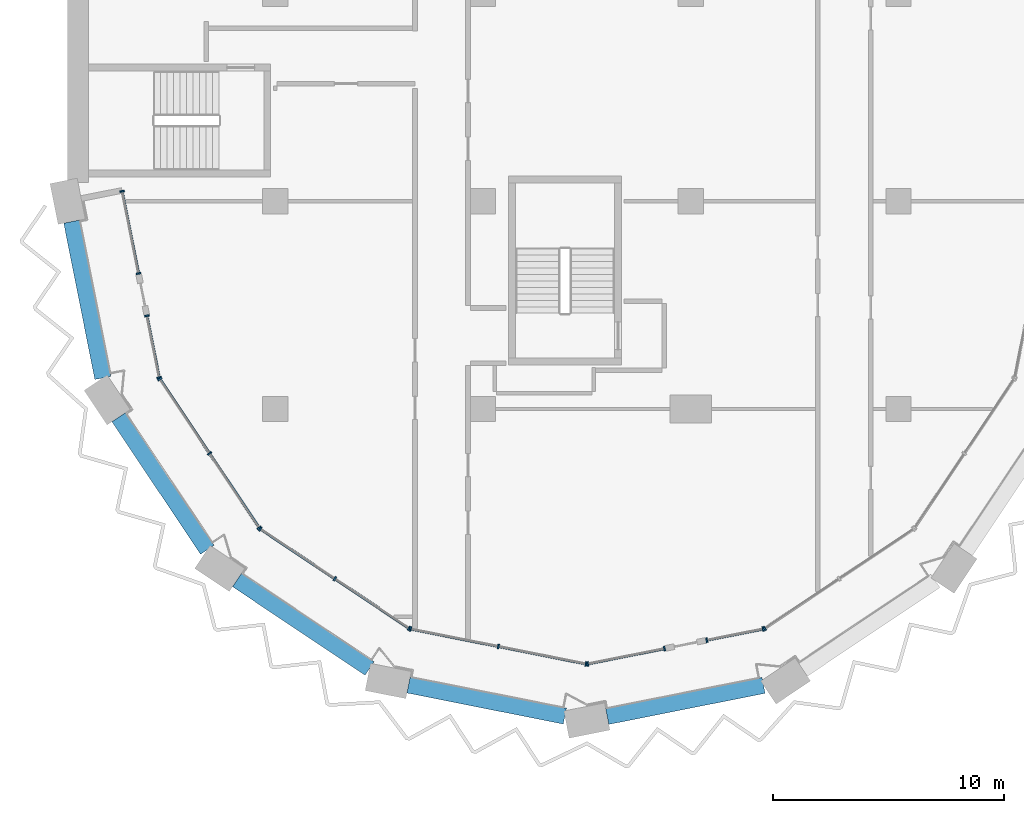
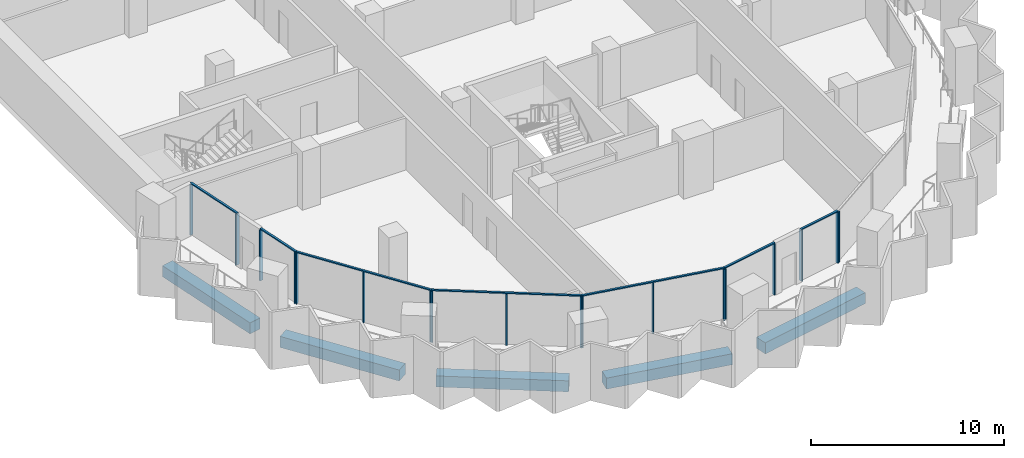
# One storey, part 2 of 17: 25 members, 5 beams, 8 elements without a shape of their own.
"""IFC4 building model written with IfcOpenShell, lengths in metres."""

from ifc_helpers import new_model, si_unit, direction, frame, origin, origin_2d, place, context, subcontext, project, spatial, rectangle, extrude, material, material_profile, profile_set, type_object, element, aggregate, save


model = new_model("IFC4")

# Units and contexts
model_context = context("Model", 3, precision=1e-05, world=origin(), true_north=direction((0.0, 1.0)))
body_context = subcontext(model_context, "Body", "Model", "MODEL_VIEW")
ifc_project = project(units=[si_unit("LENGTHUNIT", "METRE"), si_unit("AREAUNIT", "SQUARE_METRE"), si_unit("VOLUMEUNIT", "CUBIC_METRE"), si_unit("PLANEANGLEUNIT", "RADIAN"), si_unit("MASSUNIT", "GRAM", prefix="KILO")], contexts=[model_context])

# Site, building, storey
site_placement = place(None, origin())
site = spatial("IfcSite", under=ifc_project, at=site_placement, CompositionType="ELEMENT")
building_placement = place(site_placement, origin())
building = spatial("IfcBuilding", under=site, at=building_placement, Name="Hunhe Ridgeline Campus", CompositionType="ELEMENT")
storey_placement = place(building_placement, frame((0.0, 0.0, 186.5)))
storey = spatial("IfcBuildingStorey", under=building, at=storey_placement, Name="L47", CompositionType="ELEMENT", Elevation=186.5)

# Curtain wall, members
ifc_material_1 = material(Name="Aluminium 6063", Category="aluminium")
curtain_wall_type = type_object("IfcCurtainWallType", Name="Curtain wall CW-5", PredefinedType="NOTDEFINED", material=ifc_material_1)
curtain_wall_1_placement = place(storey_placement, origin())
curtain_wall_1 = element("IfcCurtainWall", 1, at=curtain_wall_1_placement, inside=storey, type_object=curtain_wall_type, Name="Curtain wall 01", PredefinedType="NOTDEFINED")
ifc_material_profile_1 = material_profile(ifc_material_1, rectangle(XDim=0.199951171875, YDim=0.070068359375, at=origin_2d()))
ifc_profile_set_1 = profile_set([ifc_material_profile_1], Name="Aluminium 6063")
member_type_1 = type_object("IfcMemberType", Name="CW-5 aluminium mullion", PredefinedType="MULLION", material=ifc_profile_set_1)
member_1_placement = place(storey_placement, frame((2.361572265625, 36.434326171875, 0.0), z_axis=(0.0, 0.0, 1.0), x_axis=(0.980784284924, 0.195095326561, 0.0)))
member_1 = element("IfcMember", 2, at=member_1_placement, type_object=member_type_1, Name="CW-5 mullion 1", PredefinedType="MULLION", context=body_context, shape_type="SweptSolid", body=[
    extrude(rectangle(XDim=0.199951171875, YDim=0.070068359375, at=origin_2d()), origin(), (0.0, 0.0, 1.0), 3.22998046875),
])
member_2_placement = place(storey_placement, frame((3.070068359375, 32.873291015625, 0.0), z_axis=(0.0, 0.0, 1.0), x_axis=(0.980784284924, 0.195095326561, 0.0)))
member_2 = element("IfcMember", 3, at=member_2_placement, type_object=member_type_1, Name="CW-5 mullion 2", PredefinedType="MULLION", context=body_context, shape_type="SweptSolid", body=[
    extrude(rectangle(XDim=0.199951171875, YDim=0.070068359375, at=origin_2d()), origin(), (0.0, 0.0, 1.0), 3.22998046875),
])

curtain_wall_2_placement = place(storey_placement, origin())
curtain_wall_2 = element("IfcCurtainWall", 4, at=curtain_wall_2_placement, inside=storey, type_object=curtain_wall_type, Name="Curtain wall 02", PredefinedType="NOTDEFINED")
member_3_placement = place(storey_placement, frame((3.434814453125, 31.0390625, 0.0), z_axis=(0.0, 0.0, 1.0), x_axis=(0.980784297053, 0.195095265587, 0.0)))
member_3 = element("IfcMember", 5, at=member_3_placement, type_object=member_type_1, Name="CW-5 mullion 1", PredefinedType="MULLION", context=body_context, shape_type="SweptSolid", body=[
    extrude(rectangle(XDim=0.199951171875, YDim=0.070068359375, at=origin_2d()), origin(), (0.0, 0.0, 1.0), 3.22998046875),
])
member_4_placement = place(storey_placement, frame((3.967529296875, 28.36083984375, 0.0), z_axis=(0.0, 0.0, 1.0), x_axis=(0.980784297053, 0.195095265587, 0.0)))
member_4 = element("IfcMember", 6, at=member_4_placement, type_object=member_type_1, Name="CW-5 mullion 2", PredefinedType="MULLION", context=body_context, shape_type="SweptSolid", body=[
    extrude(rectangle(XDim=0.199951171875, YDim=0.070068359375, at=origin_2d()), origin(), (0.0, 0.0, 1.0), 3.22998046875),
])

curtain_wall_3_placement = place(storey_placement, origin())
curtain_wall_3 = element("IfcCurtainWall", 7, at=curtain_wall_3_placement, inside=storey, type_object=curtain_wall_type, Name="Curtain wall 03", PredefinedType="NOTDEFINED")
member_5_placement = place(storey_placement, frame((3.993896484375, 28.29736328125, 0.0), z_axis=(0.0, 0.0, 1.0), x_axis=(0.831469584522, 0.555570274596, 0.0)))
member_5 = element("IfcMember", 8, at=member_5_placement, type_object=member_type_1, Name="CW-5 mullion 1", PredefinedType="MULLION", context=body_context, shape_type="SweptSolid", body=[
    extrude(rectangle(XDim=0.199951171875, YDim=0.070068359375, at=origin_2d()), origin(), (0.0, 0.0, 1.0), 3.22998046875),
])
member_6_placement = place(storey_placement, frame((6.147705078125, 25.07373046875, 0.0), z_axis=(0.0, 0.0, 1.0), x_axis=(0.831469584522, 0.555570274596, 0.0)))
member_6 = element("IfcMember", 9, at=member_6_placement, type_object=member_type_1, Name="CW-5 mullion 2", PredefinedType="MULLION", context=body_context, shape_type="SweptSolid", body=[
    extrude(rectangle(XDim=0.199951171875, YDim=0.070068359375, at=origin_2d()), origin(), (0.0, 0.0, 1.0), 3.22998046875),
])
member_7_placement = place(storey_placement, frame((8.3017578125, 21.850341796875, 0.0), z_axis=(0.0, 0.0, 1.0), x_axis=(0.831469584522, 0.555570274596, 0.0)))
member_7 = element("IfcMember", 10, at=member_7_placement, type_object=member_type_1, Name="CW-5 mullion 3", PredefinedType="MULLION", context=body_context, shape_type="SweptSolid", body=[
    extrude(rectangle(XDim=0.199951171875, YDim=0.070068359375, at=origin_2d()), origin(), (0.0, 0.0, 1.0), 3.22998046875),
])

curtain_wall_4_placement = place(storey_placement, origin())
curtain_wall_4 = element("IfcCurtainWall", 11, at=curtain_wall_4_placement, inside=storey, type_object=curtain_wall_type, Name="Curtain wall 04", PredefinedType="NOTDEFINED")
member_8_placement = place(storey_placement, frame((8.350341796875, 21.8017578125, 0.0), z_axis=(0.0, 0.0, 1.0), x_axis=(0.555570274596, 0.831469584522, 0.0)))
member_8 = element("IfcMember", 12, at=member_8_placement, type_object=member_type_1, Name="CW-5 mullion 1", PredefinedType="MULLION", context=body_context, shape_type="SweptSolid", body=[
    extrude(rectangle(XDim=0.199951171875, YDim=0.070068359375, at=origin_2d()), origin(), (0.0, 0.0, 1.0), 3.22998046875),
])
member_9_placement = place(storey_placement, frame((11.57373046875, 19.647705078125, 0.0), z_axis=(0.0, 0.0, 1.0), x_axis=(0.555570274596, 0.831469584522, 0.0)))
member_9 = element("IfcMember", 13, at=member_9_placement, type_object=member_type_1, Name="CW-5 mullion 2", PredefinedType="MULLION", context=body_context, shape_type="SweptSolid", body=[
    extrude(rectangle(XDim=0.199951171875, YDim=0.070068359375, at=origin_2d()), origin(), (0.0, 0.0, 1.0), 3.22998046875),
])
member_10_placement = place(storey_placement, frame((14.79736328125, 17.493896484375, 0.0), z_axis=(0.0, 0.0, 1.0), x_axis=(0.555570274596, 0.831469584522, 0.0)))
member_10 = element("IfcMember", 14, at=member_10_placement, type_object=member_type_1, Name="CW-5 mullion 3", PredefinedType="MULLION", context=body_context, shape_type="SweptSolid", body=[
    extrude(rectangle(XDim=0.199951171875, YDim=0.070068359375, at=origin_2d()), origin(), (0.0, 0.0, 1.0), 3.22998046875),
])

curtain_wall_5_placement = place(storey_placement, origin())
curtain_wall_5 = element("IfcCurtainWall", 15, at=curtain_wall_5_placement, inside=storey, type_object=curtain_wall_type, Name="Curtain wall 05", PredefinedType="NOTDEFINED")
member_11_placement = place(storey_placement, frame((14.86083984375, 17.467529296875, 0.0), z_axis=(0.0, 0.0, 1.0), x_axis=(0.195090347539, 0.980785275326, 0.0)))
member_11 = element("IfcMember", 16, at=member_11_placement, type_object=member_type_1, Name="CW-5 mullion 1", PredefinedType="MULLION", context=body_context, shape_type="SweptSolid", body=[
    extrude(rectangle(XDim=0.199951171875, YDim=0.070068359375, at=origin_2d()), origin(), (0.0, 0.0, 1.0), 3.22998046875),
])
member_12_placement = place(storey_placement, frame((18.663330078125, 16.711181640625, 0.0), z_axis=(0.0, 0.0, 1.0), x_axis=(0.195090347539, 0.980785275326, 0.0)))
member_12 = element("IfcMember", 17, at=member_12_placement, type_object=member_type_1, Name="CW-5 mullion 2", PredefinedType="MULLION", context=body_context, shape_type="SweptSolid", body=[
    extrude(rectangle(XDim=0.199951171875, YDim=0.070068359375, at=origin_2d()), origin(), (0.0, 0.0, 1.0), 3.22998046875),
])
member_13_placement = place(storey_placement, frame((22.465576171875, 15.954833984375, 0.0), z_axis=(0.0, 0.0, 1.0), x_axis=(0.195090347539, 0.980785275326, 0.0)))
member_13 = element("IfcMember", 18, at=member_13_placement, type_object=member_type_1, Name="CW-5 mullion 3", PredefinedType="MULLION", context=body_context, shape_type="SweptSolid", body=[
    extrude(rectangle(XDim=0.199951171875, YDim=0.070068359375, at=origin_2d()), origin(), (0.0, 0.0, 1.0), 3.22998046875),
])

curtain_wall_6_placement = place(storey_placement, origin())
curtain_wall_6 = element("IfcCurtainWall", 19, at=curtain_wall_6_placement, inside=storey, type_object=curtain_wall_type, Name="Curtain wall 06", PredefinedType="NOTDEFINED")
member_14_placement = place(storey_placement, frame((22.534423828125, 15.954833984375, 0.0), z_axis=(0.0, 0.0, 1.0), x_axis=(-0.19509037034, 0.980785270791, 0.0)))
member_14 = element("IfcMember", 20, at=member_14_placement, type_object=member_type_1, Name="CW-5 mullion 1", PredefinedType="MULLION", context=body_context, shape_type="SweptSolid", body=[
    extrude(rectangle(XDim=0.199951171875, YDim=0.070068359375, at=origin_2d()), origin(), (0.0, 0.0, 1.0), 3.22998046875),
])
member_15_placement = place(storey_placement, frame((25.861083984375, 16.61669921875, 0.0), z_axis=(0.0, 0.0, 1.0), x_axis=(-0.19509037034, 0.980785270791, 0.0)))
member_15 = element("IfcMember", 21, at=member_15_placement, type_object=member_type_1, Name="CW-5 mullion 2", PredefinedType="MULLION", context=body_context, shape_type="SweptSolid", body=[
    extrude(rectangle(XDim=0.199951171875, YDim=0.070068359375, at=origin_2d()), origin(), (0.0, 0.0, 1.0), 3.22998046875),
])

curtain_wall_7_placement = place(storey_placement, origin())
curtain_wall_7 = element("IfcCurtainWall", 22, at=curtain_wall_7_placement, inside=storey, type_object=curtain_wall_type, Name="Curtain wall 07", PredefinedType="NOTDEFINED")
member_16_placement = place(storey_placement, frame((27.695068359375, 16.9814453125, 0.0), z_axis=(0.0, 0.0, 1.0), x_axis=(-0.195090514627, 0.980785242091, 0.0)))
member_16 = element("IfcMember", 23, at=member_16_placement, type_object=member_type_1, Name="CW-5 mullion 1", PredefinedType="MULLION", context=body_context, shape_type="SweptSolid", body=[
    extrude(rectangle(XDim=0.199951171875, YDim=0.070068359375, at=origin_2d()), origin(), (0.0, 0.0, 1.0), 3.22998046875),
])
member_17_placement = place(storey_placement, frame((30.13916015625, 17.467529296875, 0.0), z_axis=(0.0, 0.0, 1.0), x_axis=(-0.195090514627, 0.980785242091, 0.0)))
member_17 = element("IfcMember", 24, at=member_17_placement, type_object=member_type_1, Name="CW-5 mullion 2", PredefinedType="MULLION", context=body_context, shape_type="SweptSolid", body=[
    extrude(rectangle(XDim=0.199951171875, YDim=0.070068359375, at=origin_2d()), origin(), (0.0, 0.0, 1.0), 3.22998046875),
])

# Curtain wall, member
curtain_wall_8_placement = place(storey_placement, origin())
curtain_wall_8 = element("IfcCurtainWall", 25, at=curtain_wall_8_placement, inside=storey, type_object=curtain_wall_type, Name="Curtain wall 08", PredefinedType="NOTDEFINED")
member_18_placement = place(storey_placement, frame((30.20263671875, 17.493896484375, 0.0), z_axis=(0.0, 0.0, 1.0), x_axis=(-0.555570274596, 0.831469584522, 0.0)))
member_18 = element("IfcMember", 26, at=member_18_placement, type_object=member_type_1, Name="CW-5 mullion 1", PredefinedType="MULLION", context=body_context, shape_type="SweptSolid", body=[
    extrude(rectangle(XDim=0.199951171875, YDim=0.070068359375, at=origin_2d()), origin(), (0.0, 0.0, 1.0), 3.22998046875),
])
aggregate(curtain_wall_8, [member_18])

# Member
ifc_material_profile_2 = material_profile(ifc_material_1, rectangle(XDim=0.1201171875, YDim=0.070068359375, at=origin_2d()))
ifc_profile_set_2 = profile_set([ifc_material_profile_2], Name="Aluminium 6063")
member_type_2 = type_object("IfcMemberType", Name="CW-5 aluminium transom", PredefinedType="USERDEFINED", material=ifc_profile_set_2)
member_19_placement = place(storey_placement, frame((2.354736328125, 36.46875, 3.264892578125), z_axis=(0.195126549745, -0.980778073564, 0.0), x_axis=(0.980778073564, 0.195126549745, 0.0)))
member_19 = element("IfcMember", 27, at=member_19_placement, type_object=member_type_2, Name="CW-5 transom 1", ObjectType="TRANSOM", PredefinedType="USERDEFINED", context=body_context, shape_type="SweptSolid", body=[
    extrude(rectangle(XDim=0.1201171875, YDim=0.070068359375, at=origin_2d()), origin(), (0.0, 0.0, 1.0), 3.700927734375),
])

aggregate(curtain_wall_1, [member_19, member_1, member_2])

member_20_placement = place(storey_placement, frame((3.427978515625, 31.073486328125, 3.264892578125), z_axis=(0.195076742145, -0.98078798151, 0.0), x_axis=(0.98078798151, 0.195076742145, 0.0)))
member_20 = element("IfcMember", 28, at=member_20_placement, type_object=member_type_2, Name="CW-5 transom 1", ObjectType="TRANSOM", PredefinedType="USERDEFINED", context=body_context, shape_type="SweptSolid", body=[
    extrude(rectangle(XDim=0.1201171875, YDim=0.070068359375, at=origin_2d()), origin(), (0.0, 0.0, 1.0), 2.80078125),
])

aggregate(curtain_wall_2, [member_20, member_3, member_4])

member_21_placement = place(storey_placement, frame((3.974365234375, 28.326416015625, 3.264892578125), z_axis=(0.5555640203, -0.831473763475, 0.0), x_axis=(0.831473763475, 0.5555640203, 0.0)))
member_21 = element("IfcMember", 29, at=member_21_placement, type_object=member_type_2, Name="CW-5 transom 1", ObjectType="TRANSOM", PredefinedType="USERDEFINED", context=body_context, shape_type="SweptSolid", body=[
    extrude(rectangle(XDim=0.1201171875, YDim=0.070068359375, at=origin_2d()), origin(), (0.0, 0.0, 1.0), 7.823974609375),
])

aggregate(curtain_wall_3, [member_21, member_5, member_6, member_7])

member_22_placement = place(storey_placement, frame((8.321044921875, 21.821044921875, 3.264892578125), z_axis=(0.831473763475, -0.5555640203, 0.0), x_axis=(0.5555640203, 0.831473763475, 0.0)))
member_22 = element("IfcMember", 30, at=member_22_placement, type_object=member_type_2, Name="CW-5 transom 1", ObjectType="TRANSOM", PredefinedType="USERDEFINED", context=body_context, shape_type="SweptSolid", body=[
    extrude(rectangle(XDim=0.1201171875, YDim=0.070068359375, at=origin_2d()), origin(), (0.0, 0.0, 1.0), 7.823974609375),
])

aggregate(curtain_wall_4, [member_22, member_8, member_9, member_10])

member_23_placement = place(storey_placement, frame((14.826416015625, 17.474365234375, 3.264892578125), z_axis=(0.980785367689, -0.195089883198, 0.0), x_axis=(0.195089883198, 0.980785367689, 0.0)))
member_23 = element("IfcMember", 31, at=member_23_placement, type_object=member_type_2, Name="CW-5 transom 1", ObjectType="TRANSOM", PredefinedType="USERDEFINED", context=body_context, shape_type="SweptSolid", body=[
    extrude(rectangle(XDim=0.1201171875, YDim=0.070068359375, at=origin_2d()), origin(), (0.0, 0.0, 1.0), 7.823974609375),
])

aggregate(curtain_wall_5, [member_23, member_11, member_12, member_13])

member_24_placement = place(storey_placement, frame((22.5, 15.947998046875, 3.264892578125), z_axis=(0.980778171596, 0.195126057004, 0.0), x_axis=(-0.195126057004, 0.980778171596, 0.0)))
member_24 = element("IfcMember", 32, at=member_24_placement, type_object=member_type_2, Name="CW-5 transom 1", ObjectType="TRANSOM", PredefinedType="USERDEFINED", context=body_context, shape_type="SweptSolid", body=[
    extrude(rectangle(XDim=0.1201171875, YDim=0.070068359375, at=origin_2d()), origin(), (0.0, 0.0, 1.0), 3.462158203125),
])

aggregate(curtain_wall_6, [member_24, member_14, member_15])

member_25_placement = place(storey_placement, frame((27.660888671875, 16.974609375, 3.264892578125), z_axis=(0.980789038007, 0.195071430315, 0.0), x_axis=(-0.195071430315, 0.980789038007, 0.0)))
member_25 = element("IfcMember", 33, at=member_25_placement, type_object=member_type_2, Name="CW-5 transom 1", ObjectType="TRANSOM", PredefinedType="USERDEFINED", context=body_context, shape_type="SweptSolid", body=[
    extrude(rectangle(XDim=0.1201171875, YDim=0.070068359375, at=origin_2d()), origin(), (0.0, 0.0, 1.0), 2.56201171875),
])

aggregate(curtain_wall_7, [member_25, member_16, member_17])

# Beams
ifc_material_2 = material(Name="Concrete C50", Category="concrete")
ifc_material_profile_3 = material_profile(ifc_material_2, rectangle(XDim=0.699951171875, YDim=0.699951171875, at=origin_2d()))
ifc_profile_set_3 = profile_set([ifc_material_profile_3], Name="Concrete C50")
beam_type = type_object("IfcBeamType", Name="RC spandrel beam 700x700 Concrete C50", PredefinedType="SPANDREL", material=ifc_profile_set_3)
for number, where, z_axis, x_axis, name in (
    (34, (0.175537109375, 35.1171875, -0.60009765625), (0.195102900975, -0.980782778209, 0.0), (0.980782778209, 0.195102900975, 0.0), "Spandrel beam B3-1 L47"),
    (35, (2.212646484375, 26.641357421875, -0.60009765625), (0.55557295, -0.831467796868, 0.0), (0.831467796868, 0.55557295, 0.0), "Spandrel beam B3-2 L47"),
    (36, (7.33837890625, 19.590087890625, -0.60009765625), (0.831467796868, -0.55557295, 0.0), (0.55557295, 0.831467796868, 0.0), "Spandrel beam B3-3 L47"),
    (37, (14.772216796875, 15.037109375, -0.60009765625), (0.980784124029, -0.195096135414, 0.0), (0.195096135414, 0.980784124029, 0.0), "Spandrel beam B3-4 L47"),
    (38, (23.3828125, 13.675537109375, -0.60009765625), (0.980782778209, 0.195102900975, 0.0), (-0.195102900975, 0.980782778209, 0.0), "Spandrel beam B3-5 L47"),
):
    element("IfcBeam", number, at=place(storey_placement, frame(where, z_axis=z_axis, x_axis=x_axis)), inside=storey, type_object=beam_type, Name=name, PredefinedType="SPANDREL", context=body_context, shape_type="SweptSolid", body=[
        extrude(rectangle(XDim=0.699951171875, YDim=0.699951171875, at=origin_2d()), origin(), (0.0, 0.0, 1.0), 6.905029296875),
    ])

save(model, "model.ifc")
